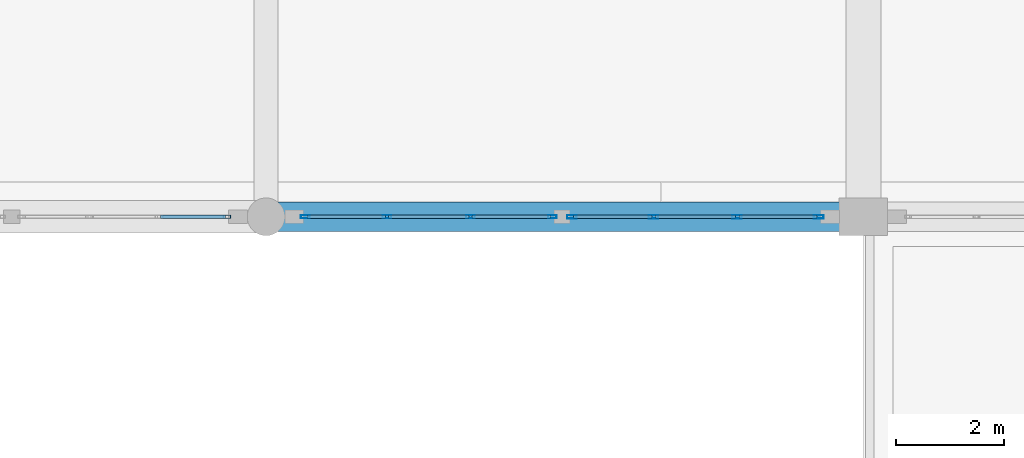
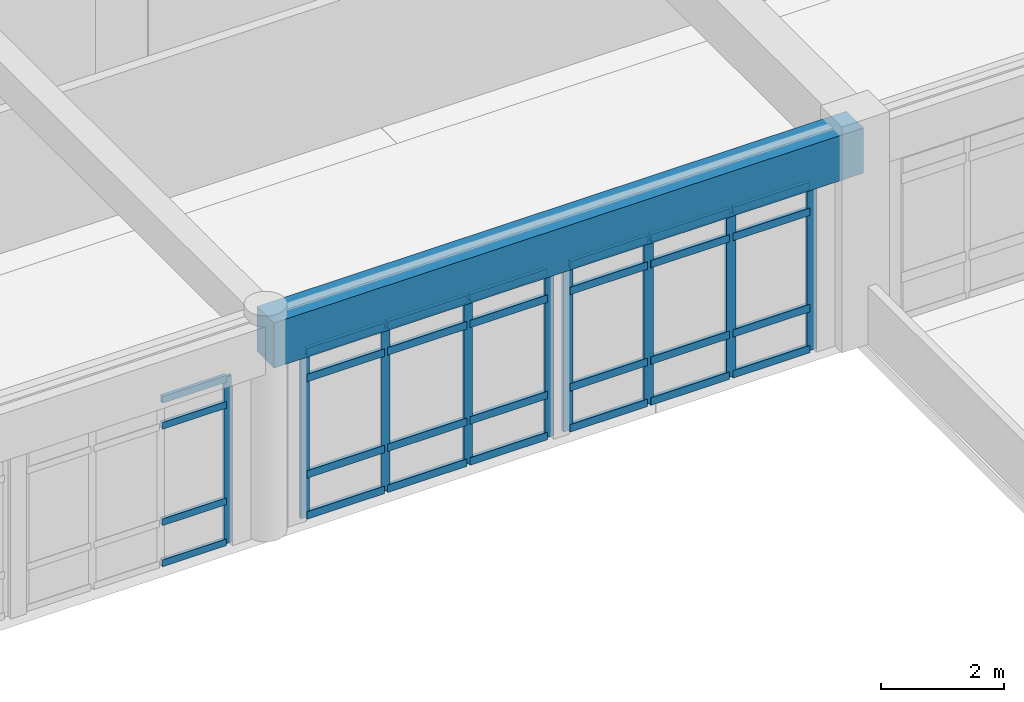
# One storey, part 51 of 109: 37 members, 1 beam, 3 elements without a shape of their own.
"""IFC4 building model written with IfcOpenShell, lengths in metres."""

from ifc_helpers import new_model, si_unit, direction, frame, origin, origin_2d, place, context, subcontext, project, spatial, rectangle, hollow_rectangle, extrude, material, layer, layer_set, material_profile, profile_set, type_object, element, aggregate, save


model = new_model("IFC4")

# Units and contexts
model_context = context("Model", 3, precision=1e-05, world=origin(), true_north=direction((0.0, 1.0)))
body_context = subcontext(model_context, "Body", "Model", "MODEL_VIEW")
ifc_project = project(units=[si_unit("LENGTHUNIT", "METRE"), si_unit("AREAUNIT", "SQUARE_METRE"), si_unit("VOLUMEUNIT", "CUBIC_METRE"), si_unit("PLANEANGLEUNIT", "RADIAN"), si_unit("MASSUNIT", "GRAM", prefix="KILO")], contexts=[model_context])

# Site, building, storey
site_placement = place(None, origin())
site = spatial("IfcSite", under=ifc_project, at=site_placement, CompositionType="ELEMENT")
building_placement = place(site_placement, origin())
building = spatial("IfcBuilding", under=site, at=building_placement, Name="Fikremerkos Civic Library", CompositionType="ELEMENT")
storey_placement = place(building_placement, frame((0.0, 0.0, 5.39990234375)))
storey = spatial("IfcBuildingStorey", under=building, at=storey_placement, Name="L01", CompositionType="ELEMENT", Elevation=5.39990234375)

# Curtain wall, members
ifc_material_1 = material(Name="Anodized aluminium Frame", Category="aluminium")
ifc_layer_1 = layer(ifc_material_1, 0.159912109375, Name="Anodized aluminium Frame")
ifc_layer_set_1 = layer_set([ifc_layer_1], Name="Anodized aluminium Frame")
curtain_wall_type_1 = type_object("IfcCurtainWallType", Name="Unitised curtain wall CW-09 3600x3400", PredefinedType="USERDEFINED", material=ifc_layer_set_1)
curtain_wall_1_placement = place(storey_placement, origin())
curtain_wall_1 = element("IfcCurtainWall", 1, at=curtain_wall_1_placement, inside=storey, type_object=curtain_wall_type_1, Name="Unitised curtain wall CW-09 L01 #117", ObjectType="UNITISED CURTAIN WALL", PredefinedType="USERDEFINED")
ifc_material_profile_1 = material_profile(ifc_material_1, hollow_rectangle(XDim=0.06494140625, YDim=0.179931640625, WallThickness=0.00439453125, at=origin_2d()), Name="ALU 180x65x4.5")
ifc_profile_set_1 = profile_set([ifc_material_profile_1], Name="Anodized aluminium Frame")
member_type_1 = type_object("IfcMemberType", Name="Curtain mullion CWM-01 ALU 180x65x4.5", PredefinedType="MULLION", material=ifc_profile_set_1)
member_1_placement = place(storey_placement, frame((123.969482421875, 96.0, 0.0), z_axis=(0.0, 0.0, 1.0), x_axis=(0.0, -1.0, 0.0)))
member_1 = element("IfcMember", 2, at=member_1_placement, type_object=member_type_1, Name="CW-09 mullion 1", PredefinedType="MULLION", context=body_context, shape_type="SweptSolid", body=[
    extrude(hollow_rectangle(XDim=0.06494140625, YDim=0.179931640625, WallThickness=0.00439453125, at=origin_2d()), origin(), (0.0, 0.0, 1.0), 3.320068359375),
])
member_2_placement = place(storey_placement, frame((122.451416015625, 96.0, 0.0), z_axis=(0.0, 0.0, 1.0), x_axis=(0.0, -1.0, 0.0)))
member_2 = element("IfcMember", 3, at=member_2_placement, type_object=member_type_1, Name="CW-09 mullion 2", PredefinedType="MULLION", context=body_context, shape_type="SweptSolid", body=[
    extrude(hollow_rectangle(XDim=0.06494140625, YDim=0.179931640625, WallThickness=0.00439453125, at=origin_2d()), origin(), (0.0, 0.0, 1.0), 3.320068359375),
])
member_3_placement = place(storey_placement, frame((120.900634765625, 96.0, 0.0), z_axis=(0.0, 0.0, 1.0), x_axis=(0.0, -1.0, 0.0)))
member_3 = element("IfcMember", 4, at=member_3_placement, type_object=member_type_1, Name="CW-09 mullion 3", PredefinedType="MULLION", context=body_context, shape_type="SweptSolid", body=[
    extrude(hollow_rectangle(XDim=0.06494140625, YDim=0.179931640625, WallThickness=0.00439453125, at=origin_2d()), origin(), (0.0, 0.0, 1.0), 3.320068359375),
])
member_4_placement = place(storey_placement, frame((119.382568359375, 96.0, 0.0), z_axis=(0.0, 0.0, 1.0), x_axis=(0.0, -1.0, 0.0)))
member_4 = element("IfcMember", 5, at=member_4_placement, type_object=member_type_1, Name="CW-09 mullion 4", PredefinedType="MULLION", context=body_context, shape_type="SweptSolid", body=[
    extrude(hollow_rectangle(XDim=0.06494140625, YDim=0.179931640625, WallThickness=0.00439453125, at=origin_2d()), origin(), (0.0, 0.0, 1.0), 3.320068359375),
])

ifc_layer_2 = layer(ifc_material_1, 0.159912109375, Name="Anodized aluminium Frame")
ifc_layer_set_2 = layer_set([ifc_layer_2], Name="Anodized aluminium Frame")
curtain_wall_type_2 = type_object("IfcCurtainWallType", Name="Unitised curtain wall CW-10 4000x3400", PredefinedType="USERDEFINED", material=ifc_layer_set_2)
curtain_wall_2_placement = place(storey_placement, origin())
curtain_wall_2 = element("IfcCurtainWall", 6, at=curtain_wall_2_placement, inside=storey, type_object=curtain_wall_type_2, Name="Unitised curtain wall CW-10 L01 #118", ObjectType="UNITISED CURTAIN WALL", PredefinedType="USERDEFINED")
ifc_material_profile_2 = material_profile(ifc_material_1, hollow_rectangle(XDim=0.06005859375, YDim=0.159912109375, WallThickness=0.00390625, at=origin_2d()), Name="ALU 160x60x4")
ifc_profile_set_2 = profile_set([ifc_material_profile_2], Name="Anodized aluminium Frame")
member_type_2 = type_object("IfcMemberType", Name="Curtain mullion CWM-02 ALU 160x60x4", PredefinedType="MULLION", material=ifc_profile_set_2)
member_5_placement = place(storey_placement, frame((119.02001953125, 96.0, 0.0), z_axis=(0.0, 0.0, 1.0), x_axis=(0.0, -1.0, 0.0)))
member_5 = element("IfcMember", 7, at=member_5_placement, type_object=member_type_2, Name="CW-10 mullion 1", PredefinedType="MULLION", context=body_context, shape_type="SweptSolid", body=[
    extrude(hollow_rectangle(XDim=0.06005859375, YDim=0.159912109375, WallThickness=0.00390625, at=origin_2d()), origin(), (0.0, 0.0, 1.0), 3.320068359375),
])
member_6_placement = place(storey_placement, frame((117.499267578125, 96.0, 0.0), z_axis=(0.0, 0.0, 1.0), x_axis=(0.0, -1.0, 0.0)))
member_6 = element("IfcMember", 8, at=member_6_placement, type_object=member_type_2, Name="CW-10 mullion 2", PredefinedType="MULLION", context=body_context, shape_type="SweptSolid", body=[
    extrude(hollow_rectangle(XDim=0.06005859375, YDim=0.159912109375, WallThickness=0.00390625, at=origin_2d()), origin(), (0.0, 0.0, 1.0), 3.320068359375),
])
member_7_placement = place(storey_placement, frame((115.94873046875, 96.0, 0.0), z_axis=(0.0, 0.0, 1.0), x_axis=(0.0, -1.0, 0.0)))
member_7 = element("IfcMember", 9, at=member_7_placement, type_object=member_type_2, Name="CW-10 mullion 3", PredefinedType="MULLION", context=body_context, shape_type="SweptSolid", body=[
    extrude(hollow_rectangle(XDim=0.06005859375, YDim=0.159912109375, WallThickness=0.00390625, at=origin_2d()), origin(), (0.0, 0.0, 1.0), 3.320068359375),
])
member_8_placement = place(storey_placement, frame((114.427978515625, 96.0, 0.0), z_axis=(0.0, 0.0, 1.0), x_axis=(0.0, -1.0, 0.0)))
member_8 = element("IfcMember", 10, at=member_8_placement, type_object=member_type_2, Name="CW-10 mullion 4", PredefinedType="MULLION", context=body_context, shape_type="SweptSolid", body=[
    extrude(hollow_rectangle(XDim=0.06005859375, YDim=0.159912109375, WallThickness=0.00390625, at=origin_2d()), origin(), (0.0, 0.0, 1.0), 3.320068359375),
])

# Curtain wall, member
ifc_layer_3 = layer(ifc_material_1, 0.159912109375, Name="Anodized aluminium Frame")
ifc_layer_set_3 = layer_set([ifc_layer_3], Name="Anodized aluminium Frame")
curtain_wall_type_3 = type_object("IfcCurtainWallType", Name="Unitised curtain wall CW-11 3200x3400", PredefinedType="USERDEFINED", material=ifc_layer_set_3)
curtain_wall_3_placement = place(storey_placement, origin())
curtain_wall_3 = element("IfcCurtainWall", 11, at=curtain_wall_3_placement, inside=storey, type_object=curtain_wall_type_3, Name="Unitised curtain wall CW-11 L01 #119", ObjectType="UNITISED CURTAIN WALL", PredefinedType="USERDEFINED")
ifc_material_profile_3 = material_profile(ifc_material_1, hollow_rectangle(XDim=0.06005859375, YDim=0.139892578125, WallThickness=0.00390625, at=origin_2d()), Name="ALU 140x60x4")
ifc_profile_set_3 = profile_set([ifc_material_profile_3], Name="Anodized aluminium Frame")
member_type_3 = type_object("IfcMemberType", Name="Curtain mullion CWM-03 ALU 140x60x4", PredefinedType="MULLION", material=ifc_profile_set_3)
member_9_placement = place(storey_placement, frame((112.971923828125, 96.0, 0.0), z_axis=(0.0, 0.0, 1.0), x_axis=(0.0, -1.0, 0.0)))
member_9 = element("IfcMember", 12, at=member_9_placement, type_object=member_type_3, Name="CW-11 mullion 1", PredefinedType="MULLION", context=body_context, shape_type="SweptSolid", body=[
    extrude(hollow_rectangle(XDim=0.06005859375, YDim=0.139892578125, WallThickness=0.00390625, at=origin_2d()), origin(), (0.0, 0.0, 1.0), 3.320068359375),
])

# Member
ifc_material_profile_4 = material_profile(ifc_material_1, hollow_rectangle(XDim=0.070068359375, YDim=0.14990234375, WallThickness=0.00439453125, at=origin_2d()), Name="ALU 150x70x4.5")
ifc_profile_set_4 = profile_set([ifc_material_profile_4], Name="Anodized aluminium Frame")
member_type_4 = type_object("IfcMemberType", Name="Curtain transom CWT-01 ALU 150x70x4.5", PredefinedType="USERDEFINED", material=ifc_profile_set_4)
member_10_placement = place(storey_placement, frame((123.93701171875, 96.0, 0.03515625), z_axis=(-1.0, 0.0, 0.0), x_axis=(0.0, -1.0, 0.0)))
member_10 = element("IfcMember", 13, at=member_10_placement, type_object=member_type_4, Name="CW-09 transom 1.1", ObjectType="TRANSOM", PredefinedType="USERDEFINED", context=body_context, shape_type="SweptSolid", body=[
    extrude(hollow_rectangle(XDim=0.070068359375, YDim=0.14990234375, WallThickness=0.00439453125, at=origin_2d()), origin(), (0.0, 0.0, 1.0), 1.453125),
])

member_11_placement = place(storey_placement, frame((123.93701171875, 96.0, 0.85009765625), z_axis=(-1.0, 0.0, 0.0), x_axis=(0.0, -1.0, 0.0)))
member_11 = element("IfcMember", 14, at=member_11_placement, type_object=member_type_4, Name="CW-09 transom 1.2", ObjectType="TRANSOM", PredefinedType="USERDEFINED", context=body_context, shape_type="SweptSolid", body=[
    extrude(hollow_rectangle(XDim=0.070068359375, YDim=0.14990234375, WallThickness=0.00439453125, at=origin_2d()), origin(), (0.0, 0.0, 1.0), 1.453125),
])

member_12_placement = place(storey_placement, frame((123.93701171875, 96.0, 2.77001953125), z_axis=(-1.0, 0.0, 0.0), x_axis=(0.0, -1.0, 0.0)))
member_12 = element("IfcMember", 15, at=member_12_placement, type_object=member_type_4, Name="CW-09 transom 1.3", ObjectType="TRANSOM", PredefinedType="USERDEFINED", context=body_context, shape_type="SweptSolid", body=[
    extrude(hollow_rectangle(XDim=0.070068359375, YDim=0.14990234375, WallThickness=0.00439453125, at=origin_2d()), origin(), (0.0, 0.0, 1.0), 1.453125),
])

member_13_placement = place(storey_placement, frame((123.93701171875, 96.0, 3.28515625), z_axis=(-1.0, 0.0, 0.0), x_axis=(0.0, -1.0, 0.0)))
member_13 = element("IfcMember", 16, at=member_13_placement, type_object=member_type_4, Name="CW-09 transom 1.4", ObjectType="TRANSOM", PredefinedType="USERDEFINED", context=body_context, shape_type="SweptSolid", body=[
    extrude(hollow_rectangle(XDim=0.070068359375, YDim=0.14990234375, WallThickness=0.00439453125, at=origin_2d()), origin(), (0.0, 0.0, 1.0), 1.453125),
])

member_14_placement = place(storey_placement, frame((122.4189453125, 96.0, 0.03515625), z_axis=(-1.0, 0.0, 0.0), x_axis=(0.0, -1.0, 0.0)))
member_14 = element("IfcMember", 17, at=member_14_placement, type_object=member_type_4, Name="CW-09 transom 2.1", ObjectType="TRANSOM", PredefinedType="USERDEFINED", context=body_context, shape_type="SweptSolid", body=[
    extrude(hollow_rectangle(XDim=0.070068359375, YDim=0.14990234375, WallThickness=0.00439453125, at=origin_2d()), origin(), (0.0, 0.0, 1.0), 1.48583984375),
])

member_15_placement = place(storey_placement, frame((122.4189453125, 96.0, 0.85009765625), z_axis=(-1.0, 0.0, 0.0), x_axis=(0.0, -1.0, 0.0)))
member_15 = element("IfcMember", 18, at=member_15_placement, type_object=member_type_4, Name="CW-09 transom 2.2", ObjectType="TRANSOM", PredefinedType="USERDEFINED", context=body_context, shape_type="SweptSolid", body=[
    extrude(hollow_rectangle(XDim=0.070068359375, YDim=0.14990234375, WallThickness=0.00439453125, at=origin_2d()), origin(), (0.0, 0.0, 1.0), 1.48583984375),
])

member_16_placement = place(storey_placement, frame((122.4189453125, 96.0, 2.77001953125), z_axis=(-1.0, 0.0, 0.0), x_axis=(0.0, -1.0, 0.0)))
member_16 = element("IfcMember", 19, at=member_16_placement, type_object=member_type_4, Name="CW-09 transom 2.3", ObjectType="TRANSOM", PredefinedType="USERDEFINED", context=body_context, shape_type="SweptSolid", body=[
    extrude(hollow_rectangle(XDim=0.070068359375, YDim=0.14990234375, WallThickness=0.00439453125, at=origin_2d()), origin(), (0.0, 0.0, 1.0), 1.48583984375),
])

member_17_placement = place(storey_placement, frame((122.4189453125, 96.0, 3.28515625), z_axis=(-1.0, 0.0, 0.0), x_axis=(0.0, -1.0, 0.0)))
member_17 = element("IfcMember", 20, at=member_17_placement, type_object=member_type_4, Name="CW-09 transom 2.4", ObjectType="TRANSOM", PredefinedType="USERDEFINED", context=body_context, shape_type="SweptSolid", body=[
    extrude(hollow_rectangle(XDim=0.070068359375, YDim=0.14990234375, WallThickness=0.00439453125, at=origin_2d()), origin(), (0.0, 0.0, 1.0), 1.48583984375),
])

member_18_placement = place(storey_placement, frame((120.8681640625, 96.0, 0.03515625), z_axis=(-1.0, 0.0, 0.0), x_axis=(0.0, -1.0, 0.0)))
member_18 = element("IfcMember", 21, at=member_18_placement, type_object=member_type_4, Name="CW-09 transom 3.1", ObjectType="TRANSOM", PredefinedType="USERDEFINED", context=body_context, shape_type="SweptSolid", body=[
    extrude(hollow_rectangle(XDim=0.070068359375, YDim=0.14990234375, WallThickness=0.00439453125, at=origin_2d()), origin(), (0.0, 0.0, 1.0), 1.453125),
])

member_19_placement = place(storey_placement, frame((120.8681640625, 96.0, 0.85009765625), z_axis=(-1.0, 0.0, 0.0), x_axis=(0.0, -1.0, 0.0)))
member_19 = element("IfcMember", 22, at=member_19_placement, type_object=member_type_4, Name="CW-09 transom 3.2", ObjectType="TRANSOM", PredefinedType="USERDEFINED", context=body_context, shape_type="SweptSolid", body=[
    extrude(hollow_rectangle(XDim=0.070068359375, YDim=0.14990234375, WallThickness=0.00439453125, at=origin_2d()), origin(), (0.0, 0.0, 1.0), 1.453125),
])

member_20_placement = place(storey_placement, frame((120.8681640625, 96.0, 2.77001953125), z_axis=(-1.0, 0.0, 0.0), x_axis=(0.0, -1.0, 0.0)))
member_20 = element("IfcMember", 23, at=member_20_placement, type_object=member_type_4, Name="CW-09 transom 3.3", ObjectType="TRANSOM", PredefinedType="USERDEFINED", context=body_context, shape_type="SweptSolid", body=[
    extrude(hollow_rectangle(XDim=0.070068359375, YDim=0.14990234375, WallThickness=0.00439453125, at=origin_2d()), origin(), (0.0, 0.0, 1.0), 1.453125),
])

member_21_placement = place(storey_placement, frame((120.8681640625, 96.0, 3.28515625), z_axis=(-1.0, 0.0, 0.0), x_axis=(0.0, -1.0, 0.0)))
member_21 = element("IfcMember", 24, at=member_21_placement, type_object=member_type_4, Name="CW-09 transom 3.4", ObjectType="TRANSOM", PredefinedType="USERDEFINED", context=body_context, shape_type="SweptSolid", body=[
    extrude(hollow_rectangle(XDim=0.070068359375, YDim=0.14990234375, WallThickness=0.00439453125, at=origin_2d()), origin(), (0.0, 0.0, 1.0), 1.453125),
])

aggregate(curtain_wall_1, [member_1, member_2, member_3, member_4, member_10, member_11, member_12, member_13, member_14, member_15, member_16, member_17, member_18, member_19, member_20, member_21])

member_22_placement = place(storey_placement, frame((118.989990234375, 96.0, 0.03515625), z_axis=(-1.0, 0.0, 0.0), x_axis=(0.0, -1.0, 0.0)))
member_22 = element("IfcMember", 25, at=member_22_placement, type_object=member_type_4, Name="CW-10 transom 1.1", ObjectType="TRANSOM", PredefinedType="USERDEFINED", context=body_context, shape_type="SweptSolid", body=[
    extrude(hollow_rectangle(XDim=0.070068359375, YDim=0.14990234375, WallThickness=0.00439453125, at=origin_2d()), origin(), (0.0, 0.0, 1.0), 1.460693359375),
])

member_23_placement = place(storey_placement, frame((118.989990234375, 96.0, 0.85009765625), z_axis=(-1.0, 0.0, 0.0), x_axis=(0.0, -1.0, 0.0)))
member_23 = element("IfcMember", 26, at=member_23_placement, type_object=member_type_4, Name="CW-10 transom 1.2", ObjectType="TRANSOM", PredefinedType="USERDEFINED", context=body_context, shape_type="SweptSolid", body=[
    extrude(hollow_rectangle(XDim=0.070068359375, YDim=0.14990234375, WallThickness=0.00439453125, at=origin_2d()), origin(), (0.0, 0.0, 1.0), 1.460693359375),
])

member_24_placement = place(storey_placement, frame((118.989990234375, 96.0, 2.77001953125), z_axis=(-1.0, 0.0, 0.0), x_axis=(0.0, -1.0, 0.0)))
member_24 = element("IfcMember", 27, at=member_24_placement, type_object=member_type_4, Name="CW-10 transom 1.3", ObjectType="TRANSOM", PredefinedType="USERDEFINED", context=body_context, shape_type="SweptSolid", body=[
    extrude(hollow_rectangle(XDim=0.070068359375, YDim=0.14990234375, WallThickness=0.00439453125, at=origin_2d()), origin(), (0.0, 0.0, 1.0), 1.460693359375),
])

member_25_placement = place(storey_placement, frame((118.989990234375, 96.0, 3.28515625), z_axis=(-1.0, 0.0, 0.0), x_axis=(0.0, -1.0, 0.0)))
member_25 = element("IfcMember", 28, at=member_25_placement, type_object=member_type_4, Name="CW-10 transom 1.4", ObjectType="TRANSOM", PredefinedType="USERDEFINED", context=body_context, shape_type="SweptSolid", body=[
    extrude(hollow_rectangle(XDim=0.070068359375, YDim=0.14990234375, WallThickness=0.00439453125, at=origin_2d()), origin(), (0.0, 0.0, 1.0), 1.460693359375),
])

member_26_placement = place(storey_placement, frame((117.46923828125, 96.0, 0.03515625), z_axis=(-1.0, 0.0, 0.0), x_axis=(0.0, -1.0, 0.0)))
member_26 = element("IfcMember", 29, at=member_26_placement, type_object=member_type_4, Name="CW-10 transom 2.1", ObjectType="TRANSOM", PredefinedType="USERDEFINED", context=body_context, shape_type="SweptSolid", body=[
    extrude(hollow_rectangle(XDim=0.070068359375, YDim=0.14990234375, WallThickness=0.00439453125, at=origin_2d()), origin(), (0.0, 0.0, 1.0), 1.490478515625),
])

member_27_placement = place(storey_placement, frame((117.46923828125, 96.0, 0.85009765625), z_axis=(-1.0, 0.0, 0.0), x_axis=(0.0, -1.0, 0.0)))
member_27 = element("IfcMember", 30, at=member_27_placement, type_object=member_type_4, Name="CW-10 transom 2.2", ObjectType="TRANSOM", PredefinedType="USERDEFINED", context=body_context, shape_type="SweptSolid", body=[
    extrude(hollow_rectangle(XDim=0.070068359375, YDim=0.14990234375, WallThickness=0.00439453125, at=origin_2d()), origin(), (0.0, 0.0, 1.0), 1.490478515625),
])

member_28_placement = place(storey_placement, frame((117.46923828125, 96.0, 2.77001953125), z_axis=(-1.0, 0.0, 0.0), x_axis=(0.0, -1.0, 0.0)))
member_28 = element("IfcMember", 31, at=member_28_placement, type_object=member_type_4, Name="CW-10 transom 2.3", ObjectType="TRANSOM", PredefinedType="USERDEFINED", context=body_context, shape_type="SweptSolid", body=[
    extrude(hollow_rectangle(XDim=0.070068359375, YDim=0.14990234375, WallThickness=0.00439453125, at=origin_2d()), origin(), (0.0, 0.0, 1.0), 1.490478515625),
])

member_29_placement = place(storey_placement, frame((117.46923828125, 96.0, 3.28515625), z_axis=(-1.0, 0.0, 0.0), x_axis=(0.0, -1.0, 0.0)))
member_29 = element("IfcMember", 32, at=member_29_placement, type_object=member_type_4, Name="CW-10 transom 2.4", ObjectType="TRANSOM", PredefinedType="USERDEFINED", context=body_context, shape_type="SweptSolid", body=[
    extrude(hollow_rectangle(XDim=0.070068359375, YDim=0.14990234375, WallThickness=0.00439453125, at=origin_2d()), origin(), (0.0, 0.0, 1.0), 1.490478515625),
])

member_30_placement = place(storey_placement, frame((115.918701171875, 96.0, 0.03515625), z_axis=(-1.0, 0.0, 0.0), x_axis=(0.0, -1.0, 0.0)))
member_30 = element("IfcMember", 33, at=member_30_placement, type_object=member_type_4, Name="CW-10 transom 3.1", ObjectType="TRANSOM", PredefinedType="USERDEFINED", context=body_context, shape_type="SweptSolid", body=[
    extrude(hollow_rectangle(XDim=0.070068359375, YDim=0.14990234375, WallThickness=0.00439453125, at=origin_2d()), origin(), (0.0, 0.0, 1.0), 1.460693359375),
])

member_31_placement = place(storey_placement, frame((115.918701171875, 96.0, 0.85009765625), z_axis=(-1.0, 0.0, 0.0), x_axis=(0.0, -1.0, 0.0)))
member_31 = element("IfcMember", 34, at=member_31_placement, type_object=member_type_4, Name="CW-10 transom 3.2", ObjectType="TRANSOM", PredefinedType="USERDEFINED", context=body_context, shape_type="SweptSolid", body=[
    extrude(hollow_rectangle(XDim=0.070068359375, YDim=0.14990234375, WallThickness=0.00439453125, at=origin_2d()), origin(), (0.0, 0.0, 1.0), 1.460693359375),
])

member_32_placement = place(storey_placement, frame((115.918701171875, 96.0, 2.77001953125), z_axis=(-1.0, 0.0, 0.0), x_axis=(0.0, -1.0, 0.0)))
member_32 = element("IfcMember", 35, at=member_32_placement, type_object=member_type_4, Name="CW-10 transom 3.3", ObjectType="TRANSOM", PredefinedType="USERDEFINED", context=body_context, shape_type="SweptSolid", body=[
    extrude(hollow_rectangle(XDim=0.070068359375, YDim=0.14990234375, WallThickness=0.00439453125, at=origin_2d()), origin(), (0.0, 0.0, 1.0), 1.460693359375),
])

member_33_placement = place(storey_placement, frame((115.918701171875, 96.0, 3.28515625), z_axis=(-1.0, 0.0, 0.0), x_axis=(0.0, -1.0, 0.0)))
member_33 = element("IfcMember", 36, at=member_33_placement, type_object=member_type_4, Name="CW-10 transom 3.4", ObjectType="TRANSOM", PredefinedType="USERDEFINED", context=body_context, shape_type="SweptSolid", body=[
    extrude(hollow_rectangle(XDim=0.070068359375, YDim=0.14990234375, WallThickness=0.00439453125, at=origin_2d()), origin(), (0.0, 0.0, 1.0), 1.460693359375),
])

aggregate(curtain_wall_2, [member_5, member_6, member_7, member_8, member_22, member_23, member_24, member_25, member_26, member_27, member_28, member_29, member_30, member_31, member_32, member_33])

ifc_material_profile_5 = material_profile(ifc_material_1, hollow_rectangle(XDim=0.06494140625, YDim=0.135009765625, WallThickness=0.00439453125, at=origin_2d()), Name="ALU 135x65x4.5")
ifc_profile_set_5 = profile_set([ifc_material_profile_5], Name="Anodized aluminium Frame")
member_type_5 = type_object("IfcMemberType", Name="Curtain transom CWT-02 ALU 135x65x4.5", PredefinedType="USERDEFINED", material=ifc_profile_set_5)
member_34_placement = place(storey_placement, frame((112.94189453125, 96.0, 0.03271484375), z_axis=(-1.0, 0.0, 0.0), x_axis=(0.0, -1.0, 0.0)))
member_34 = element("IfcMember", 37, at=member_34_placement, type_object=member_type_5, Name="CW-11 transom 1.1", ObjectType="TRANSOM", PredefinedType="USERDEFINED", context=body_context, shape_type="SweptSolid", body=[
    extrude(hollow_rectangle(XDim=0.06494140625, YDim=0.135009765625, WallThickness=0.00439453125, at=origin_2d()), origin(), (0.0, 0.0, 1.0), 1.201904296875),
])

member_35_placement = place(storey_placement, frame((112.94189453125, 96.0, 0.85009765625), z_axis=(-1.0, 0.0, 0.0), x_axis=(0.0, -1.0, 0.0)))
member_35 = element("IfcMember", 38, at=member_35_placement, type_object=member_type_5, Name="CW-11 transom 1.2", ObjectType="TRANSOM", PredefinedType="USERDEFINED", context=body_context, shape_type="SweptSolid", body=[
    extrude(hollow_rectangle(XDim=0.06494140625, YDim=0.135009765625, WallThickness=0.00439453125, at=origin_2d()), origin(), (0.0, 0.0, 1.0), 1.201904296875),
])

member_36_placement = place(storey_placement, frame((112.94189453125, 96.0, 2.77001953125), z_axis=(-1.0, 0.0, 0.0), x_axis=(0.0, -1.0, 0.0)))
member_36 = element("IfcMember", 39, at=member_36_placement, type_object=member_type_5, Name="CW-11 transom 1.3", ObjectType="TRANSOM", PredefinedType="USERDEFINED", context=body_context, shape_type="SweptSolid", body=[
    extrude(hollow_rectangle(XDim=0.06494140625, YDim=0.135009765625, WallThickness=0.00439453125, at=origin_2d()), origin(), (0.0, 0.0, 1.0), 1.201904296875),
])

member_37_placement = place(storey_placement, frame((112.94189453125, 96.0, 3.28759765625), z_axis=(-1.0, 0.0, 0.0), x_axis=(0.0, -1.0, 0.0)))
member_37 = element("IfcMember", 40, at=member_37_placement, type_object=member_type_5, Name="CW-11 transom 1.4", ObjectType="TRANSOM", PredefinedType="USERDEFINED", context=body_context, shape_type="SweptSolid", body=[
    extrude(hollow_rectangle(XDim=0.06494140625, YDim=0.135009765625, WallThickness=0.00439453125, at=origin_2d()), origin(), (0.0, 0.0, 1.0), 1.201904296875),
])

aggregate(curtain_wall_3, [member_9, member_34, member_35, member_36, member_37])

# Beam
ifc_material_2 = material(Name="Concrete C40/50", Category="concrete")
ifc_material_profile_6 = material_profile(ifc_material_2, rectangle(XDim=0.550048828125, YDim=0.89990234375, at=origin_2d()), Name="RC 550x900")
ifc_profile_set_6 = profile_set([ifc_material_profile_6], Name="Concrete C40/50")
beam_type = type_object("IfcBeamType", Name="Primary girder BM-02 RC 550x900", PredefinedType="BEAM", material=ifc_profile_set_6)
beam_placement = place(storey_placement, frame((113.699951171875, 96.0, 3.830078125), z_axis=(1.0, 0.0, 0.0), x_axis=(0.0, 1.0, 0.0)))
element("IfcBeam", 41, at=beam_placement, inside=storey, type_object=beam_type, Name="Primary girder BM-02 L01 grid M", PredefinedType="BEAM", context=body_context, shape_type="SweptSolid", body=[
    extrude(rectangle(XDim=0.550048828125, YDim=0.89990234375, at=origin_2d()), origin(), (0.0, 0.0, 1.0), 11.10009765625),
])

save(model, "model.ifc")
